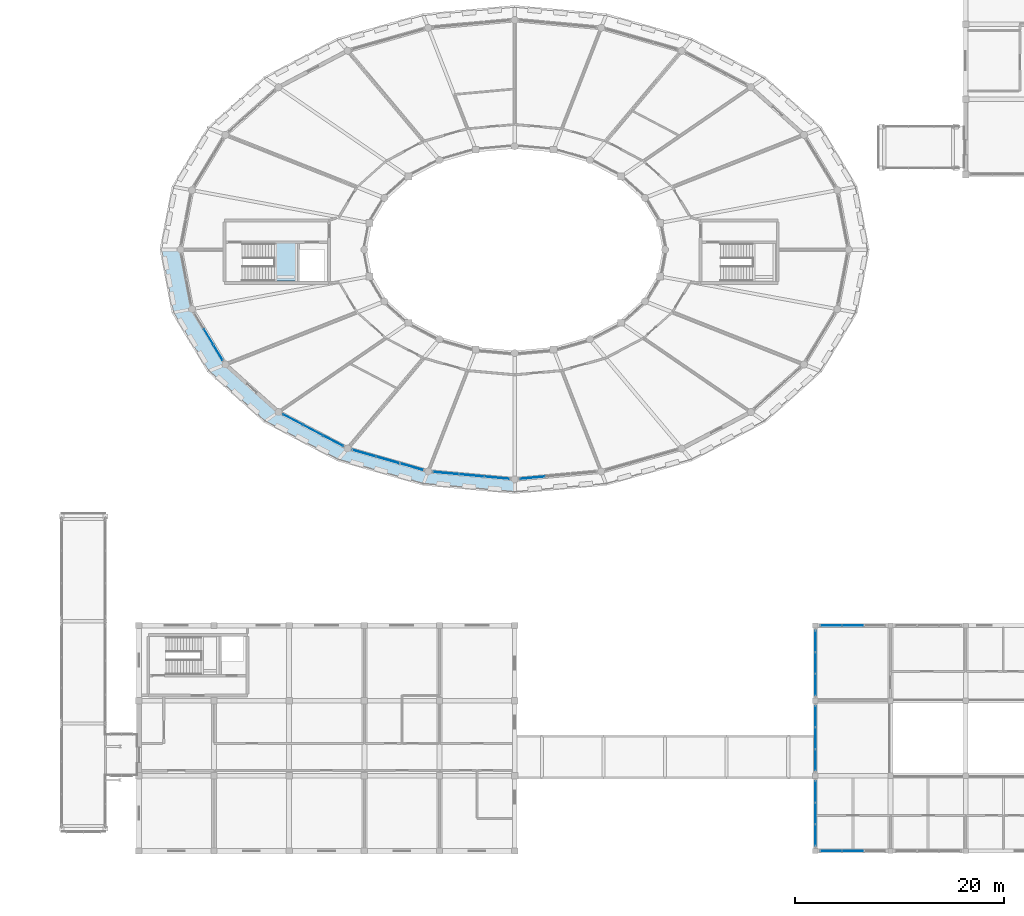
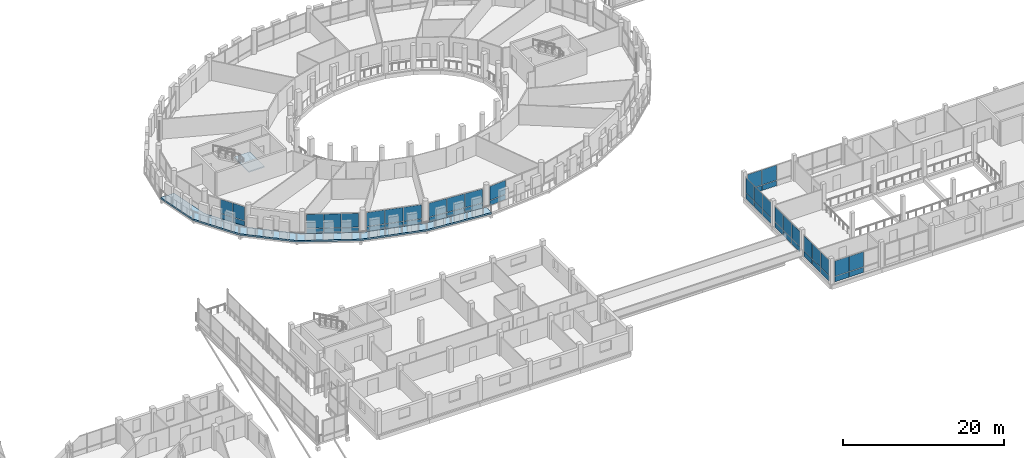
# One storey, part 99 of 128: 50 plates, 2 slabs, 11 elements without a shape of their own.
"""IFC4 building model written with IfcOpenShell, lengths in metres."""

import ifcopenshell
import ifcopenshell.guid

model = None  # the IFC model being written
_history = None  # IfcOwnerHistory: only IFC2X3 demands one
_inside = {}  # id of a spatial element -> (the spatial element, [elements in it])
_under = {}  # id of a project, library or spatial element -> (it, [spatial elements below it])
_declared = {}  # id of a project -> (the project, [libraries it declares])
_typed = {}  # id of a type object -> (the type object, [elements of that type])
_made_of = {}  # id of a material, layer set ... -> (it, [elements and type objects made of it])


def new_model(schema):
    """Start an empty IFC model of exactly this schema.

    Asked for "IFC4X3", IfcOpenShell would pick the latest addendum, in which some entities
    have other attributes; the version numbers below select the first issue.
    IFC2X3 requires an IfcOwnerHistory on every rooted entity: one is made here for all.
    """
    global model, _history
    if schema == "IFC4X3":
        model = ifcopenshell.file(schema_version=(4, 3, 0, 0))
    else:
        model = ifcopenshell.file(schema=schema)
    _inside.clear()
    _under.clear()
    _declared.clear()
    _typed.clear()
    _made_of.clear()
    _history = None
    if model.schema == "IFC2X3":
        org = make("IfcOrganization", Name="unknown")
        user = make(
            "IfcPersonAndOrganization",
            ThePerson=make("IfcPerson", FamilyName="unknown"),
            TheOrganization=org,
        )
        app = make(
            "IfcApplication",
            ApplicationDeveloper=org,
            Version="unknown",
            ApplicationFullName="unknown",
            ApplicationIdentifier="unknown",
        )
        _history = make(
            "IfcOwnerHistory",
            OwningUser=user,
            OwningApplication=app,
            ChangeAction="ADDED",
            CreationDate=0,
        )
    return model


def make(cls, **values):
    """One entity of the class cls with the attributes given. An attribute that is None is left unset."""
    return model.create_entity(
        cls, **{name: value for name, value in values.items() if value is not None}
    )


def rooted(cls, **values):
    """An entity with a GlobalId (a new one), such as an element, a storey or a relation."""
    return make(cls, GlobalId=ifcopenshell.guid.new(), OwnerHistory=_history, **values)


def si_unit(unit_type, name, prefix=None):
    """IfcSIUnit, for example si_unit("LENGTHUNIT", "METRE", prefix="MILLI")."""
    return make("IfcSIUnit", UnitType=unit_type, Prefix=prefix, Name=name)


def assignment(units):
    """IfcUnitAssignment: the units of a project."""
    return None if units is None else make("IfcUnitAssignment", Units=units)


def point(xyz):
    """IfcCartesianPoint."""
    return None if xyz is None else make("IfcCartesianPoint", Coordinates=xyz)


def direction(xyz):
    """IfcDirection."""
    return None if xyz is None else make("IfcDirection", DirectionRatios=xyz)


def frame(location, z_axis=None, x_axis=None):
    """IfcAxis2Placement3D, a coordinate frame: its origin and axes. An axis left out is left unset."""
    return make(
        "IfcAxis2Placement3D",
        Location=point(location),
        Axis=direction(z_axis),
        RefDirection=direction(x_axis),
    )


def frame_2d(location, x_axis=None):
    """IfcAxis2Placement2D, a coordinate frame in the plane: its origin and x axis."""
    return make(
        "IfcAxis2Placement2D", Location=point(location), RefDirection=direction(x_axis)
    )


def origin():
    """The frame at (0, 0, 0) with its axes left unset."""
    return frame((0.0, 0.0, 0.0))


def origin_2d():
    """The frame at (0, 0) in the plane with its x axis left unset."""
    return frame_2d((0.0, 0.0))


def place(relative_to, where):
    """IfcLocalPlacement: puts the frame where relative to a parent placement (None: the world)."""
    return make(
        "IfcLocalPlacement", PlacementRelTo=relative_to, RelativePlacement=where
    )


def context(
    kind, dimensions, precision=None, world=None, true_north=None, identifier=None
):
    """IfcGeometricRepresentationContext, for example the 3D "Model" context."""
    return make(
        "IfcGeometricRepresentationContext",
        ContextIdentifier=identifier,
        ContextType=kind,
        CoordinateSpaceDimension=dimensions,
        Precision=precision,
        WorldCoordinateSystem=world,
        TrueNorth=true_north,
    )


def subcontext(parent, identifier, kind, view, scale=None):
    """IfcGeometricRepresentationSubContext, for example "Body" below "Model"."""
    return make(
        "IfcGeometricRepresentationSubContext",
        ContextIdentifier=identifier,
        ContextType=kind,
        ParentContext=parent,
        TargetScale=scale,
        TargetView=view,
    )


def project(units=None, contexts=None):
    """IfcProject with its units and contexts."""
    return rooted(
        "IfcProject",
        Name="project",
        RepresentationContexts=contexts,
        UnitsInContext=assignment(units),
    )


def spatial(cls, under=None, at=None, **own):
    """A site, building, storey or space (cls), placed at a placement, below another one or the project."""
    s = rooted(cls, ObjectPlacement=at, **own)
    if under is not None:
        _under.setdefault(under.id(), (under, []))[1].append(s)
    return s


def polyline(points):
    """IfcPolyline through the points."""
    return make("IfcPolyline", Points=[point(p) for p in points])


def profile(cls, at=None, kind="AREA", **sizes):
    """A parametric profile (cls). Its sizes go by their IFC names, for example OverallWidth=200.0."""
    return make(cls, ProfileType=kind, Position=at, **sizes)


def rectangle(**sizes):
    """IfcRectangleProfileDef."""
    return profile("IfcRectangleProfileDef", **sizes)


def outline(outer, holes=None, kind="AREA"):
    """IfcArbitraryClosedProfileDef: a profile drawn as a closed curve; with holes, ...WithVoids."""
    if holes is None:
        return make("IfcArbitraryClosedProfileDef", ProfileType=kind, OuterCurve=outer)
    return make(
        "IfcArbitraryProfileDefWithVoids",
        ProfileType=kind,
        OuterCurve=outer,
        InnerCurves=holes,
    )


def extrude(swept, where, along, depth):
    """IfcExtrudedAreaSolid: the profile swept, set in the frame where, extruded along a direction by depth."""
    return make(
        "IfcExtrudedAreaSolid",
        SweptArea=swept,
        Position=where,
        ExtrudedDirection=direction(along),
        Depth=depth,
    )


def shape(context_of_items, identifier, shape_type, items):
    """IfcShapeRepresentation: the items that make up one representation, for example the "Body"."""
    return make(
        "IfcShapeRepresentation",
        ContextOfItems=context_of_items,
        RepresentationIdentifier=identifier,
        RepresentationType=shape_type,
        Items=items,
    )


def material(Name=None, Category=None):
    """IfcMaterial."""
    return make("IfcMaterial", Name=Name, Category=Category)


def layer(
    of_material, thickness, ventilated=None, Name=None, Category=None, Priority=None
):
    """IfcMaterialLayer: one layer of a wall or slab, of a material (None: an air gap)."""
    return make(
        "IfcMaterialLayer",
        Material=of_material,
        LayerThickness=thickness,
        IsVentilated=ventilated,
        Name=Name,
        Category=Category,
        Priority=Priority,
    )


def layer_set(layers, Name=None):
    """IfcMaterialLayerSet."""
    return make("IfcMaterialLayerSet", MaterialLayers=layers, LayerSetName=Name)


def made_of(thing, what):
    """Note that an element or type object is made of a material, layer set ...; save() writes the relation."""
    if what is not None:
        _made_of.setdefault(what.id(), (what, []))[1].append(thing)
    return thing


def type_object(cls, material=None, **own):
    """A type object (cls), such as IfcWallType, which elements share."""
    return made_of(rooted(cls, **own), material)


def element(
    cls,
    number,
    at=None,
    inside=None,
    cuts=None,
    type_object=None,
    material=None,
    context=None,
    identifier="Body",
    shape_type=None,
    held_by="IfcProductDefinitionShape",
    body=None,
    shapes=None,
    **own,
):
    """One element of the class cls, such as IfcWall. Its Tag is "e" and its number.

    at: its placement. inside: the storey or other place that contains it. cuts: it is an
    opening in that element (IfcRelVoidsElement). A single representation is given by context,
    identifier, shape_type and body (its items); several are given by shapes. held_by: the class
    of the entity that holds the representations. save() writes the other relations.
    """
    e = rooted(cls, Tag="e%d" % number, ObjectPlacement=at, **own)
    if body is not None:
        shapes = [shape(context, identifier, shape_type, body)]
    if shapes is not None:
        e.Representation = make(held_by, Representations=shapes)
    if inside is not None:
        _inside.setdefault(inside.id(), (inside, []))[1].append(e)
    if cuts is not None:
        rooted(
            "IfcRelVoidsElement", RelatingBuildingElement=cuts, RelatedOpeningElement=e
        )
    if type_object is not None:
        _typed.setdefault(type_object.id(), (type_object, []))[1].append(e)
    return made_of(e, material)


def aggregate(whole, parts):
    """IfcRelAggregates: a whole, such as a stair, and the parts it consists of."""
    return rooted("IfcRelAggregates", RelatingObject=whole, RelatedObjects=parts)


def save(model, path):
    """Write the relations noted so far, then the file.

    IfcRelAggregates (storeys below a building ...), IfcRelContainedInSpatialStructure (elements
    in a storey), IfcRelDefinesByType, IfcRelAssociatesMaterial and IfcRelDeclares: one each for
    every whole, place, type object, material and project.
    """
    for whole, parts in _under.values():
        aggregate(whole, parts)
    for where, things in _inside.values():
        rooted(
            "IfcRelContainedInSpatialStructure",
            RelatedElements=things,
            RelatingStructure=where,
        )
    for kind, things in _typed.values():
        rooted("IfcRelDefinesByType", RelatedObjects=things, RelatingType=kind)
    for what, things in _made_of.values():
        rooted("IfcRelAssociatesMaterial", RelatedObjects=things, RelatingMaterial=what)
    for by, libraries in _declared.values():
        rooted("IfcRelDeclares", RelatingContext=by, RelatedDefinitions=libraries)
    model.write(path)


model = new_model("IFC4")

# Units and contexts
model_context = context("Model", 3, precision=1e-05, world=origin(), true_north=direction((0.0, 1.0)))
body_context = subcontext(model_context, "Body", "Model", "MODEL_VIEW")
ifc_project = project(units=[si_unit("LENGTHUNIT", "METRE"), si_unit("AREAUNIT", "SQUARE_METRE"), si_unit("VOLUMEUNIT", "CUBIC_METRE"), si_unit("PLANEANGLEUNIT", "RADIAN"), si_unit("MASSUNIT", "GRAM", prefix="KILO")], contexts=[model_context])

# Site, building, storey
site_placement = place(None, origin())
site = spatial("IfcSite", under=ifc_project, at=site_placement, CompositionType="ELEMENT")
building_placement = place(site_placement, origin())
building = spatial("IfcBuilding", under=site, at=building_placement, Name="Zornivar Specialist Clinic", CompositionType="ELEMENT")
storey_placement = place(building_placement, frame((0.0, 0.0, 4.5)))
storey = spatial("IfcBuildingStorey", under=building, at=storey_placement, Name="L01", CompositionType="ELEMENT", Elevation=4.5)

# Curtain wall, plates
ifc_material_1 = material(Name="Aluminium and Low-E Glass Curtain Wall", Category="aluminium")
curtain_wall_type_1 = type_object("IfcCurtainWallType", Name="CW-DRUM-FACET", PredefinedType="NOTDEFINED", material=ifc_material_1)
curtain_wall_1_placement = place(storey_placement, origin())
curtain_wall_1 = element("IfcCurtainWall", 1, at=curtain_wall_1_placement, inside=storey, type_object=curtain_wall_type_1, Name="cw:V1:L01:c17", PredefinedType="NOTDEFINED")
ifc_material_2 = material(Name="Insulated Bronze Spandrel Panel")
ifc_layer_1 = layer(ifc_material_2, 0.048095703125)
ifc_layer_set_1 = layer_set([ifc_layer_1], Name="Insulated Bronze Spandrel Panel")
plate_type_1 = type_object("IfcPlateType", Name="CWP-SPN-A", PredefinedType="CURTAIN_PANEL", material=ifc_layer_set_1)
plate_1_placement = place(storey_placement, frame((87.01708984375, 36.196044921875, 0.03076171875), z_axis=(0.0, 0.0, 1.0), x_axis=(0.995932792393, -0.09009923993, 0.0)))
plate_1 = element("IfcPlate", 2, at=plate_1_placement, type_object=plate_type_1, Name="cw:V1:L01:c17:spn:0", PredefinedType="CURTAIN_PANEL", context=body_context, shape_type="SweptSolid", body=[
    extrude(rectangle(XDim=2.382080078125, YDim=0.048095703125, at=origin_2d()), origin(), (0.0, 0.0, 1.0), 0.722900390625),
])
plate_2_placement = place(storey_placement, frame((89.458984375, 35.97509765625, 0.03076171875), z_axis=(0.0, 0.0, 1.0), x_axis=(0.995932792393, -0.09009923993, 0.0)))
plate_2 = element("IfcPlate", 3, at=plate_2_placement, type_object=plate_type_1, Name="cw:V1:L01:c17:spn:1", PredefinedType="CURTAIN_PANEL", context=body_context, shape_type="SweptSolid", body=[
    extrude(rectangle(XDim=2.382080078125, YDim=0.048095703125, at=origin_2d()), origin(), (0.0, 0.0, 1.0), 0.722900390625),
])
plate_3_placement = place(storey_placement, frame((91.90087890625, 35.75390625, 0.03076171875), z_axis=(0.0, 0.0, 1.0), x_axis=(0.995932792393, -0.09009923993, 0.0)))
plate_3 = element("IfcPlate", 4, at=plate_3_placement, type_object=plate_type_1, Name="cw:V1:L01:c17:spn:2", PredefinedType="CURTAIN_PANEL", context=body_context, shape_type="SweptSolid", body=[
    extrude(rectangle(XDim=2.382080078125, YDim=0.048095703125, at=origin_2d()), origin(), (0.0, 0.0, 1.0), 0.722900390625),
])

# Curtain wall, plate
curtain_wall_2_placement = place(storey_placement, origin())
curtain_wall_2 = element("IfcCurtainWall", 5, at=curtain_wall_2_placement, inside=storey, type_object=curtain_wall_type_1, Name="cw:V1:L01:c18", PredefinedType="NOTDEFINED")
ifc_material_3 = material(Name="Insulated Bronze Spandrel Panel")
ifc_layer_2 = layer(ifc_material_3, 0.048095703125)
ifc_layer_set_2 = layer_set([ifc_layer_2], Name="Insulated Bronze Spandrel Panel")
plate_type_2 = type_object("IfcPlateType", Name="CWP-SPN-B", PredefinedType="CURTAIN_PANEL", material=ifc_layer_set_2)
plate_4_placement = place(storey_placement, frame((95.299072265625, 35.75390625, 0.03076171875), z_axis=(0.0, 0.0, 1.0), x_axis=(0.995932792393, 0.09009923993, 0.0)))
plate_4 = element("IfcPlate", 6, at=plate_4_placement, type_object=plate_type_2, Name="cw:V1:L01:c18:spn:0", PredefinedType="CURTAIN_PANEL", context=body_context, shape_type="SweptSolid", body=[
    extrude(rectangle(XDim=2.382080078125, YDim=0.048095703125, at=origin_2d()), origin(), (0.0, 0.0, 1.0), 0.722900390625),
])

# Curtain wall, plates
curtain_wall_3_placement = place(storey_placement, origin())
curtain_wall_3 = element("IfcCurtainWall", 7, at=curtain_wall_3_placement, inside=storey, type_object=curtain_wall_type_1, Name="cw:V1:L01:c13", PredefinedType="NOTDEFINED")
ifc_material_4 = material(Name="Insulated Bronze Spandrel Panel")
ifc_layer_3 = layer(ifc_material_4, 0.048095703125)
ifc_layer_set_3 = layer_set([ifc_layer_3], Name="Insulated Bronze Spandrel Panel")
plate_type_3 = type_object("IfcPlateType", Name="CWP-SPN-C", PredefinedType="CURTAIN_PANEL", material=ifc_layer_set_3)
plate_5_placement = place(storey_placement, frame((64.2880859375, 49.2529296875, 0.03076171875), z_axis=(0.0, 0.0, 1.0), x_axis=(0.516127401954, -0.856511824175, 0.0)))
plate_5 = element("IfcPlate", 8, at=plate_5_placement, type_object=plate_type_3, Name="cw:V1:L01:c13:spn:1", PredefinedType="CURTAIN_PANEL", context=body_context, shape_type="SweptSolid", body=[
    extrude(rectangle(XDim=1.675048828125, YDim=0.048095703125, at=origin_2d()), origin(), (0.0, 0.0, 1.0), 0.722900390625),
])
plate_6_placement = place(storey_placement, frame((65.18896484375, 47.758056640625, 0.03076171875), z_axis=(0.0, 0.0, 1.0), x_axis=(0.516127401954, -0.856511824175, 0.0)))
plate_6 = element("IfcPlate", 9, at=plate_6_placement, type_object=plate_type_3, Name="cw:V1:L01:c13:spn:2", PredefinedType="CURTAIN_PANEL", context=body_context, shape_type="SweptSolid", body=[
    extrude(rectangle(XDim=1.675048828125, YDim=0.048095703125, at=origin_2d()), origin(), (0.0, 0.0, 1.0), 0.722900390625),
])

curtain_wall_4_placement = place(storey_placement, origin())
curtain_wall_4 = element("IfcCurtainWall", 10, at=curtain_wall_4_placement, inside=storey, type_object=curtain_wall_type_1, Name="cw:V1:L01:c15", PredefinedType="NOTDEFINED")
ifc_material_5 = material(Name="Insulated Bronze Spandrel Panel")
ifc_layer_4 = layer(ifc_material_5, 0.0458984375)
ifc_layer_set_4 = layer_set([ifc_layer_4], Name="Insulated Bronze Spandrel Panel")
plate_type_4 = type_object("IfcPlateType", Name="CWP-SPN-E", PredefinedType="CURTAIN_PANEL", material=ifc_layer_set_4)
plate_7_placement = place(storey_placement, frame((72.361083984375, 41.31201171875, 0.03076171875), z_axis=(0.0, 0.0, 1.0), x_axis=(0.884383019078, -0.46676190458, 0.0)))
plate_7 = element("IfcPlate", 11, at=plate_7_placement, type_object=plate_type_4, Name="cw:V1:L01:c15:spn:0", PredefinedType="CURTAIN_PANEL", context=body_context, shape_type="SweptSolid", body=[
    extrude(rectangle(XDim=2.10791015625, YDim=0.0458984375, at=origin_2d()), origin(), (0.0, 0.0, 1.0), 0.722900390625),
])
plate_8_placement = place(storey_placement, frame((74.287109375, 40.2958984375, 0.03076171875), z_axis=(0.0, 0.0, 1.0), x_axis=(0.884383019078, -0.46676190458, 0.0)))
plate_8 = element("IfcPlate", 12, at=plate_8_placement, type_object=plate_type_4, Name="cw:V1:L01:c15:spn:1", PredefinedType="CURTAIN_PANEL", context=body_context, shape_type="SweptSolid", body=[
    extrude(rectangle(XDim=2.10791015625, YDim=0.0458984375, at=origin_2d()), origin(), (0.0, 0.0, 1.0), 0.722900390625),
])
plate_9_placement = place(storey_placement, frame((76.212890625, 39.279052734375, 0.03076171875), z_axis=(0.0, 0.0, 1.0), x_axis=(0.884383019078, -0.46676190458, 0.0)))
plate_9 = element("IfcPlate", 13, at=plate_9_placement, type_object=plate_type_4, Name="cw:V1:L01:c15:spn:2", PredefinedType="CURTAIN_PANEL", context=body_context, shape_type="SweptSolid", body=[
    extrude(rectangle(XDim=2.10791015625, YDim=0.0458984375, at=origin_2d()), origin(), (0.0, 0.0, 1.0), 0.722900390625),
])

curtain_wall_5_placement = place(storey_placement, origin())
curtain_wall_5 = element("IfcCurtainWall", 14, at=curtain_wall_5_placement, inside=storey, type_object=curtain_wall_type_1, Name="cw:V1:L01:c16", PredefinedType="NOTDEFINED")
ifc_material_6 = material(Name="Insulated Terracotta Spandrel Panel", Category="masonry")
ifc_layer_5 = layer(ifc_material_6, 0.05810546875)
ifc_layer_set_5 = layer_set([ifc_layer_5], Name="Insulated Terracotta Spandrel Panel")
plate_type_5 = type_object("IfcPlateType", Name="CWP-SPN-F", PredefinedType="CURTAIN_PANEL", material=ifc_layer_set_5)
plate_10_placement = place(storey_placement, frame((79.194091796875, 38.093994140625, 0.03076171875), z_axis=(0.0, 0.0, 1.0), x_axis=(0.961761244933, -0.273889225319, 0.0)))
plate_10 = element("IfcPlate", 15, at=plate_10_placement, type_object=plate_type_5, Name="cw:V1:L01:c16:spn:0", PredefinedType="CURTAIN_PANEL", context=body_context, shape_type="SweptSolid", body=[
    extrude(rectangle(XDim=2.284912109375, YDim=0.05810546875, at=origin_2d()), origin(), (0.0, 0.0, 1.0), 0.722900390625),
])
plate_11_placement = place(storey_placement, frame((81.458984375, 37.448974609375, 0.03076171875), z_axis=(0.0, 0.0, 1.0), x_axis=(0.961761244933, -0.273889225319, 0.0)))
plate_11 = element("IfcPlate", 16, at=plate_11_placement, type_object=plate_type_5, Name="cw:V1:L01:c16:spn:1", PredefinedType="CURTAIN_PANEL", context=body_context, shape_type="SweptSolid", body=[
    extrude(rectangle(XDim=2.284912109375, YDim=0.05810546875, at=origin_2d()), origin(), (0.0, 0.0, 1.0), 0.722900390625),
])
plate_12_placement = place(storey_placement, frame((83.72412109375, 36.803955078125, 0.03076171875), z_axis=(0.0, 0.0, 1.0), x_axis=(0.961761244933, -0.273889225319, 0.0)))
plate_12 = element("IfcPlate", 17, at=plate_12_placement, type_object=plate_type_5, Name="cw:V1:L01:c16:spn:2", PredefinedType="CURTAIN_PANEL", context=body_context, shape_type="SweptSolid", body=[
    extrude(rectangle(XDim=2.284912109375, YDim=0.05810546875, at=origin_2d()), origin(), (0.0, 0.0, 1.0), 0.722900390625),
])

ifc_material_7 = material(Name="Aluminium and Low-E Glass Curtain Wall", Category="aluminium")
curtain_wall_type_2 = type_object("IfcCurtainWallType", Name="CW-WINTERGARDEN", PredefinedType="NOTDEFINED", material=ifc_material_7)
curtain_wall_6_placement = place(storey_placement, origin())
curtain_wall_6 = element("IfcCurtainWall", 18, at=curtain_wall_6_placement, inside=storey, type_object=curtain_wall_type_2, Name="cw:V4:L01:00", PredefinedType="NOTDEFINED")
plate_13_placement = place(storey_placement, frame((123.919921875, 0.0, 0.030029296875), z_axis=(0.0, 0.0, 1.0), x_axis=(1.0, 0.0, 0.0)))
plate_13 = element("IfcPlate", 19, at=plate_13_placement, type_object=plate_type_5, Name="cw:V4:L01:00:spn:0", PredefinedType="CURTAIN_PANEL", context=body_context, shape_type="SweptSolid", body=[
    extrude(rectangle(XDim=2.010009765625, YDim=0.05810546875, at=origin_2d()), origin(), (0.0, 0.0, 1.0), 0.7880859375),
])
plate_14_placement = place(storey_placement, frame((126.0, 0.0, 0.030029296875), z_axis=(0.0, 0.0, 1.0), x_axis=(1.0, 0.0, 0.0)))
plate_14 = element("IfcPlate", 20, at=plate_14_placement, type_object=plate_type_5, Name="cw:V4:L01:00:spn:1", PredefinedType="CURTAIN_PANEL", context=body_context, shape_type="SweptSolid", body=[
    extrude(rectangle(XDim=2.010009765625, YDim=0.05810546875, at=origin_2d()), origin(), (0.0, 0.0, 1.0), 0.7880859375),
])

curtain_wall_7_placement = place(storey_placement, origin())
curtain_wall_7 = element("IfcCurtainWall", 21, at=curtain_wall_7_placement, inside=storey, type_object=curtain_wall_type_2, Name="cw:V4:L01:14", PredefinedType="NOTDEFINED")
plate_15_placement = place(storey_placement, frame((126.0, 21.60009765625, 0.030029296875), z_axis=(0.0, 0.0, 1.0), x_axis=(-1.0, 0.0, 0.0)))
plate_15 = element("IfcPlate", 22, at=plate_15_placement, type_object=plate_type_5, Name="cw:V4:L01:14:spn:1", PredefinedType="CURTAIN_PANEL", context=body_context, shape_type="SweptSolid", body=[
    extrude(rectangle(XDim=2.010009765625, YDim=0.05810546875, at=origin_2d()), origin(), (0.0, 0.0, 1.0), 0.7880859375),
])
plate_16_placement = place(storey_placement, frame((123.919921875, 21.60009765625, 0.030029296875), z_axis=(0.0, 0.0, 1.0), x_axis=(-1.0, 0.0, 0.0)))
plate_16 = element("IfcPlate", 23, at=plate_16_placement, type_object=plate_type_5, Name="cw:V4:L01:14:spn:2", PredefinedType="CURTAIN_PANEL", context=body_context, shape_type="SweptSolid", body=[
    extrude(rectangle(XDim=2.010009765625, YDim=0.05810546875, at=origin_2d()), origin(), (0.0, 0.0, 1.0), 0.7880859375),
])

curtain_wall_8_placement = place(storey_placement, origin())
curtain_wall_8 = element("IfcCurtainWall", 24, at=curtain_wall_8_placement, inside=storey, type_object=curtain_wall_type_2, Name="cw:V4:L01:15", PredefinedType="NOTDEFINED")
plate_17_placement = place(storey_placement, frame((122.39990234375, 20.080078125, 0.030029296875), z_axis=(0.0, 0.0, 1.0), x_axis=(0.0, -1.0, 0.0)))
plate_17 = element("IfcPlate", 25, at=plate_17_placement, type_object=plate_type_5, Name="cw:V4:L01:15:spn:0", PredefinedType="CURTAIN_PANEL", context=body_context, shape_type="SweptSolid", body=[
    extrude(rectangle(XDim=2.010009765625, YDim=0.05810546875, at=origin_2d()), origin(), (0.0, 0.0, 1.0), 0.7880859375),
])
plate_18_placement = place(storey_placement, frame((122.39990234375, 18.0, 0.030029296875), z_axis=(0.0, 0.0, 1.0), x_axis=(0.0, -1.0, 0.0)))
plate_18 = element("IfcPlate", 26, at=plate_18_placement, type_object=plate_type_5, Name="cw:V4:L01:15:spn:1", PredefinedType="CURTAIN_PANEL", context=body_context, shape_type="SweptSolid", body=[
    extrude(rectangle(XDim=2.010009765625, YDim=0.05810546875, at=origin_2d()), origin(), (0.0, 0.0, 1.0), 0.7880859375),
])
plate_19_placement = place(storey_placement, frame((122.39990234375, 15.919921875, 0.030029296875), z_axis=(0.0, 0.0, 1.0), x_axis=(0.0, -1.0, 0.0)))
plate_19 = element("IfcPlate", 27, at=plate_19_placement, type_object=plate_type_5, Name="cw:V4:L01:15:spn:2", PredefinedType="CURTAIN_PANEL", context=body_context, shape_type="SweptSolid", body=[
    extrude(rectangle(XDim=2.010009765625, YDim=0.05810546875, at=origin_2d()), origin(), (0.0, 0.0, 1.0), 0.7880859375),
])

curtain_wall_9_placement = place(storey_placement, origin())
curtain_wall_9 = element("IfcCurtainWall", 28, at=curtain_wall_9_placement, inside=storey, type_object=curtain_wall_type_2, Name="cw:V4:L01:16", PredefinedType="NOTDEFINED")
plate_20_placement = place(storey_placement, frame((122.39990234375, 12.8798828125, 0.030029296875), z_axis=(0.0, 0.0, 1.0), x_axis=(0.0, -1.0, 0.0)))
plate_20 = element("IfcPlate", 29, at=plate_20_placement, type_object=plate_type_5, Name="cw:V4:L01:16:spn:0", PredefinedType="CURTAIN_PANEL", context=body_context, shape_type="SweptSolid", body=[
    extrude(rectangle(XDim=2.010009765625, YDim=0.05810546875, at=origin_2d()), origin(), (0.0, 0.0, 1.0), 0.7880859375),
])
plate_21_placement = place(storey_placement, frame((122.39990234375, 10.800048828125, 0.030029296875), z_axis=(0.0, 0.0, 1.0), x_axis=(0.0, -1.0, 0.0)))
plate_21 = element("IfcPlate", 30, at=plate_21_placement, type_object=plate_type_5, Name="cw:V4:L01:16:spn:1", PredefinedType="CURTAIN_PANEL", context=body_context, shape_type="SweptSolid", body=[
    extrude(rectangle(XDim=2.010009765625, YDim=0.05810546875, at=origin_2d()), origin(), (0.0, 0.0, 1.0), 0.7880859375),
])
plate_22_placement = place(storey_placement, frame((122.39990234375, 8.719970703125, 0.030029296875), z_axis=(0.0, 0.0, 1.0), x_axis=(0.0, -1.0, 0.0)))
plate_22 = element("IfcPlate", 31, at=plate_22_placement, type_object=plate_type_5, Name="cw:V4:L01:16:spn:2", PredefinedType="CURTAIN_PANEL", context=body_context, shape_type="SweptSolid", body=[
    extrude(rectangle(XDim=2.010009765625, YDim=0.05810546875, at=origin_2d()), origin(), (0.0, 0.0, 1.0), 0.7880859375),
])

curtain_wall_10_placement = place(storey_placement, origin())
curtain_wall_10 = element("IfcCurtainWall", 32, at=curtain_wall_10_placement, inside=storey, type_object=curtain_wall_type_2, Name="cw:V4:L01:17", PredefinedType="NOTDEFINED")
plate_23_placement = place(storey_placement, frame((122.39990234375, 5.679931640625, 0.030029296875), z_axis=(0.0, 0.0, 1.0), x_axis=(0.0, -1.0, 0.0)))
plate_23 = element("IfcPlate", 33, at=plate_23_placement, type_object=plate_type_5, Name="cw:V4:L01:17:spn:0", PredefinedType="CURTAIN_PANEL", context=body_context, shape_type="SweptSolid", body=[
    extrude(rectangle(XDim=2.010009765625, YDim=0.05810546875, at=origin_2d()), origin(), (0.0, 0.0, 1.0), 0.7880859375),
])
plate_24_placement = place(storey_placement, frame((122.39990234375, 3.60009765625, 0.030029296875), z_axis=(0.0, 0.0, 1.0), x_axis=(0.0, -1.0, 0.0)))
plate_24 = element("IfcPlate", 34, at=plate_24_placement, type_object=plate_type_5, Name="cw:V4:L01:17:spn:1", PredefinedType="CURTAIN_PANEL", context=body_context, shape_type="SweptSolid", body=[
    extrude(rectangle(XDim=2.010009765625, YDim=0.05810546875, at=origin_2d()), origin(), (0.0, 0.0, 1.0), 0.7880859375),
])
plate_25_placement = place(storey_placement, frame((122.39990234375, 1.52001953125, 0.030029296875), z_axis=(0.0, 0.0, 1.0), x_axis=(0.0, -1.0, 0.0)))
plate_25 = element("IfcPlate", 35, at=plate_25_placement, type_object=plate_type_5, Name="cw:V4:L01:17:spn:2", PredefinedType="CURTAIN_PANEL", context=body_context, shape_type="SweptSolid", body=[
    extrude(rectangle(XDim=2.010009765625, YDim=0.05810546875, at=origin_2d()), origin(), (0.0, 0.0, 1.0), 0.7880859375),
])

# Plate
ifc_material_8 = material(Name="Triple Low-E Vision Glass", Category="glass")
ifc_layer_6 = layer(ifc_material_8, 0.035888671875)
ifc_layer_set_6 = layer_set([ifc_layer_6], Name="Triple Low-E Vision Glass")
plate_type_6 = type_object("IfcPlateType", Name="CWP-VIS-E", PredefinedType="CURTAIN_PANEL", material=ifc_layer_set_6)
plate_26_placement = place(storey_placement, frame((64.2880859375, 49.2529296875, 0.81787109375), z_axis=(0.0, 0.0, 1.0), x_axis=(0.516127401954, -0.856511824175, 0.0)))
plate_26 = element("IfcPlate", 36, at=plate_26_placement, type_object=plate_type_6, Name="cw:V1:L01:c13:vis:1", PredefinedType="CURTAIN_PANEL", context=body_context, shape_type="SweptSolid", body=[
    extrude(rectangle(XDim=1.675048828125, YDim=0.035888671875, at=origin_2d()), origin(), (0.0, 0.0, 1.0), 2.092041015625),
])

plate_27_placement = place(storey_placement, frame((65.18896484375, 47.758056640625, 0.81787109375), z_axis=(0.0, 0.0, 1.0), x_axis=(0.516127401954, -0.856511824175, 0.0)))
plate_27 = element("IfcPlate", 37, at=plate_27_placement, type_object=plate_type_6, Name="cw:V1:L01:c13:vis:2", PredefinedType="CURTAIN_PANEL", context=body_context, shape_type="SweptSolid", body=[
    extrude(rectangle(XDim=1.675048828125, YDim=0.035888671875, at=origin_2d()), origin(), (0.0, 0.0, 1.0), 2.092041015625),
])

aggregate(curtain_wall_3, [plate_5, plate_26, plate_6, plate_27])

ifc_material_9 = material(Name="Triple Low-E Vision Glass", Category="glass")
ifc_layer_7 = layer(ifc_material_9, 0.035888671875)
ifc_layer_set_7 = layer_set([ifc_layer_7], Name="Triple Low-E Vision Glass")
plate_type_7 = type_object("IfcPlateType", Name="CWP-VIS-G", PredefinedType="CURTAIN_PANEL", material=ifc_layer_set_7)
plate_28_placement = place(storey_placement, frame((72.361083984375, 41.31201171875, 0.81787109375), z_axis=(0.0, 0.0, 1.0), x_axis=(0.884383019078, -0.46676190458, 0.0)))
plate_28 = element("IfcPlate", 38, at=plate_28_placement, type_object=plate_type_7, Name="cw:V1:L01:c15:vis:0", PredefinedType="CURTAIN_PANEL", context=body_context, shape_type="SweptSolid", body=[
    extrude(rectangle(XDim=2.10791015625, YDim=0.035888671875, at=origin_2d()), origin(), (0.0, 0.0, 1.0), 2.092041015625),
])

plate_29_placement = place(storey_placement, frame((74.287109375, 40.2958984375, 0.81787109375), z_axis=(0.0, 0.0, 1.0), x_axis=(0.884383019078, -0.46676190458, 0.0)))
plate_29 = element("IfcPlate", 39, at=plate_29_placement, type_object=plate_type_7, Name="cw:V1:L01:c15:vis:1", PredefinedType="CURTAIN_PANEL", context=body_context, shape_type="SweptSolid", body=[
    extrude(rectangle(XDim=2.10791015625, YDim=0.035888671875, at=origin_2d()), origin(), (0.0, 0.0, 1.0), 2.092041015625),
])

plate_30_placement = place(storey_placement, frame((76.212890625, 39.279052734375, 0.81787109375), z_axis=(0.0, 0.0, 1.0), x_axis=(0.884383019078, -0.46676190458, 0.0)))
plate_30 = element("IfcPlate", 40, at=plate_30_placement, type_object=plate_type_7, Name="cw:V1:L01:c15:vis:2", PredefinedType="CURTAIN_PANEL", context=body_context, shape_type="SweptSolid", body=[
    extrude(rectangle(XDim=2.10791015625, YDim=0.035888671875, at=origin_2d()), origin(), (0.0, 0.0, 1.0), 2.092041015625),
])

aggregate(curtain_wall_4, [plate_7, plate_28, plate_8, plate_29, plate_9, plate_30])

ifc_material_10 = material(Name="Triple Low-E Vision Glass", Category="glass")
ifc_layer_8 = layer(ifc_material_10, 0.033935546875)
ifc_layer_set_8 = layer_set([ifc_layer_8], Name="Triple Low-E Vision Glass")
plate_type_8 = type_object("IfcPlateType", Name="CWP-VIS-H", PredefinedType="CURTAIN_PANEL", material=ifc_layer_set_8)
plate_31_placement = place(storey_placement, frame((79.194091796875, 38.093994140625, 0.81787109375), z_axis=(0.0, 0.0, 1.0), x_axis=(0.961761244933, -0.273889225319, 0.0)))
plate_31 = element("IfcPlate", 41, at=plate_31_placement, type_object=plate_type_8, Name="cw:V1:L01:c16:vis:0", PredefinedType="CURTAIN_PANEL", context=body_context, shape_type="SweptSolid", body=[
    extrude(rectangle(XDim=2.284912109375, YDim=0.033935546875, at=origin_2d()), origin(), (0.0, 0.0, 1.0), 2.092041015625),
])

plate_32_placement = place(storey_placement, frame((81.458984375, 37.448974609375, 0.81787109375), z_axis=(0.0, 0.0, 1.0), x_axis=(0.961761244933, -0.273889225319, 0.0)))
plate_32 = element("IfcPlate", 42, at=plate_32_placement, type_object=plate_type_8, Name="cw:V1:L01:c16:vis:1", PredefinedType="CURTAIN_PANEL", context=body_context, shape_type="SweptSolid", body=[
    extrude(rectangle(XDim=2.284912109375, YDim=0.033935546875, at=origin_2d()), origin(), (0.0, 0.0, 1.0), 2.092041015625),
])

plate_33_placement = place(storey_placement, frame((83.72412109375, 36.803955078125, 0.81787109375), z_axis=(0.0, 0.0, 1.0), x_axis=(0.961761244933, -0.273889225319, 0.0)))
plate_33 = element("IfcPlate", 43, at=plate_33_placement, type_object=plate_type_8, Name="cw:V1:L01:c16:vis:2", PredefinedType="CURTAIN_PANEL", context=body_context, shape_type="SweptSolid", body=[
    extrude(rectangle(XDim=2.284912109375, YDim=0.033935546875, at=origin_2d()), origin(), (0.0, 0.0, 1.0), 2.092041015625),
])

aggregate(curtain_wall_5, [plate_10, plate_31, plate_11, plate_32, plate_12, plate_33])

ifc_material_11 = material(Name="Triple Low-E Vision Glass", Category="glass")
ifc_layer_9 = layer(ifc_material_11, 0.033935546875)
ifc_layer_set_9 = layer_set([ifc_layer_9], Name="Triple Low-E Vision Glass")
plate_type_9 = type_object("IfcPlateType", Name="CWP-VIS-J", PredefinedType="CURTAIN_PANEL", material=ifc_layer_set_9)
plate_34_placement = place(storey_placement, frame((87.01708984375, 36.196044921875, 0.81787109375), z_axis=(0.0, 0.0, 1.0), x_axis=(0.995932792393, -0.09009923993, 0.0)))
plate_34 = element("IfcPlate", 44, at=plate_34_placement, type_object=plate_type_9, Name="cw:V1:L01:c17:vis:0", PredefinedType="CURTAIN_PANEL", context=body_context, shape_type="SweptSolid", body=[
    extrude(rectangle(XDim=2.382080078125, YDim=0.033935546875, at=origin_2d()), origin(), (0.0, 0.0, 1.0), 2.092041015625),
])

plate_35_placement = place(storey_placement, frame((89.458984375, 35.97509765625, 0.81787109375), z_axis=(0.0, 0.0, 1.0), x_axis=(0.995932792393, -0.09009923993, 0.0)))
plate_35 = element("IfcPlate", 45, at=plate_35_placement, type_object=plate_type_9, Name="cw:V1:L01:c17:vis:1", PredefinedType="CURTAIN_PANEL", context=body_context, shape_type="SweptSolid", body=[
    extrude(rectangle(XDim=2.382080078125, YDim=0.033935546875, at=origin_2d()), origin(), (0.0, 0.0, 1.0), 2.092041015625),
])

plate_36_placement = place(storey_placement, frame((91.90087890625, 35.75390625, 0.81787109375), z_axis=(0.0, 0.0, 1.0), x_axis=(0.995932792393, -0.09009923993, 0.0)))
plate_36 = element("IfcPlate", 46, at=plate_36_placement, type_object=plate_type_9, Name="cw:V1:L01:c17:vis:2", PredefinedType="CURTAIN_PANEL", context=body_context, shape_type="SweptSolid", body=[
    extrude(rectangle(XDim=2.382080078125, YDim=0.033935546875, at=origin_2d()), origin(), (0.0, 0.0, 1.0), 2.092041015625),
])

aggregate(curtain_wall_1, [plate_1, plate_34, plate_2, plate_35, plate_3, plate_36])

ifc_material_12 = material(Name="Solar-Control Wintergarden Glass", Category="glass")
ifc_layer_10 = layer(ifc_material_12, 0.0419921875)
ifc_layer_set_10 = layer_set([ifc_layer_10], Name="Solar-Control Wintergarden Glass")
plate_type_10 = type_object("IfcPlateType", Name="CWP-VIS-K", PredefinedType="CURTAIN_PANEL", material=ifc_layer_set_10)
plate_37_placement = place(storey_placement, frame((123.919921875, 0.0, 0.88232421875), z_axis=(0.0, 0.0, 1.0), x_axis=(1.0, 0.0, 0.0)))
plate_37 = element("IfcPlate", 47, at=plate_37_placement, type_object=plate_type_10, Name="cw:V4:L01:00:vis:0", PredefinedType="CURTAIN_PANEL", context=body_context, shape_type="SweptSolid", body=[
    extrude(rectangle(XDim=2.010009765625, YDim=0.0419921875, at=origin_2d()), origin(), (0.0, 0.0, 1.0), 2.277099609375),
])

plate_38_placement = place(storey_placement, frame((126.0, 0.0, 0.88232421875), z_axis=(0.0, 0.0, 1.0), x_axis=(1.0, 0.0, 0.0)))
plate_38 = element("IfcPlate", 48, at=plate_38_placement, type_object=plate_type_10, Name="cw:V4:L01:00:vis:1", PredefinedType="CURTAIN_PANEL", context=body_context, shape_type="SweptSolid", body=[
    extrude(rectangle(XDim=2.010009765625, YDim=0.0419921875, at=origin_2d()), origin(), (0.0, 0.0, 1.0), 2.277099609375),
])

aggregate(curtain_wall_6, [plate_13, plate_37, plate_14, plate_38])

plate_39_placement = place(storey_placement, frame((126.0, 21.60009765625, 0.88232421875), z_axis=(0.0, 0.0, 1.0), x_axis=(-1.0, 0.0, 0.0)))
plate_39 = element("IfcPlate", 49, at=plate_39_placement, type_object=plate_type_10, Name="cw:V4:L01:14:vis:1", PredefinedType="CURTAIN_PANEL", context=body_context, shape_type="SweptSolid", body=[
    extrude(rectangle(XDim=2.010009765625, YDim=0.0419921875, at=origin_2d()), origin(), (0.0, 0.0, 1.0), 2.277099609375),
])

plate_40_placement = place(storey_placement, frame((123.919921875, 21.60009765625, 0.88232421875), z_axis=(0.0, 0.0, 1.0), x_axis=(-1.0, 0.0, 0.0)))
plate_40 = element("IfcPlate", 50, at=plate_40_placement, type_object=plate_type_10, Name="cw:V4:L01:14:vis:2", PredefinedType="CURTAIN_PANEL", context=body_context, shape_type="SweptSolid", body=[
    extrude(rectangle(XDim=2.010009765625, YDim=0.0419921875, at=origin_2d()), origin(), (0.0, 0.0, 1.0), 2.277099609375),
])

aggregate(curtain_wall_7, [plate_15, plate_39, plate_16, plate_40])

plate_41_placement = place(storey_placement, frame((122.39990234375, 20.080078125, 0.88232421875), z_axis=(0.0, 0.0, 1.0), x_axis=(0.0, -1.0, 0.0)))
plate_41 = element("IfcPlate", 51, at=plate_41_placement, type_object=plate_type_10, Name="cw:V4:L01:15:vis:0", PredefinedType="CURTAIN_PANEL", context=body_context, shape_type="SweptSolid", body=[
    extrude(rectangle(XDim=2.010009765625, YDim=0.0419921875, at=origin_2d()), origin(), (0.0, 0.0, 1.0), 2.277099609375),
])

plate_42_placement = place(storey_placement, frame((122.39990234375, 18.0, 0.88232421875), z_axis=(0.0, 0.0, 1.0), x_axis=(0.0, -1.0, 0.0)))
plate_42 = element("IfcPlate", 52, at=plate_42_placement, type_object=plate_type_10, Name="cw:V4:L01:15:vis:1", PredefinedType="CURTAIN_PANEL", context=body_context, shape_type="SweptSolid", body=[
    extrude(rectangle(XDim=2.010009765625, YDim=0.0419921875, at=origin_2d()), origin(), (0.0, 0.0, 1.0), 2.277099609375),
])

plate_43_placement = place(storey_placement, frame((122.39990234375, 15.919921875, 0.88232421875), z_axis=(0.0, 0.0, 1.0), x_axis=(0.0, -1.0, 0.0)))
plate_43 = element("IfcPlate", 53, at=plate_43_placement, type_object=plate_type_10, Name="cw:V4:L01:15:vis:2", PredefinedType="CURTAIN_PANEL", context=body_context, shape_type="SweptSolid", body=[
    extrude(rectangle(XDim=2.010009765625, YDim=0.0419921875, at=origin_2d()), origin(), (0.0, 0.0, 1.0), 2.277099609375),
])

aggregate(curtain_wall_8, [plate_17, plate_41, plate_18, plate_42, plate_19, plate_43])

plate_44_placement = place(storey_placement, frame((122.39990234375, 12.8798828125, 0.88232421875), z_axis=(0.0, 0.0, 1.0), x_axis=(0.0, -1.0, 0.0)))
plate_44 = element("IfcPlate", 54, at=plate_44_placement, type_object=plate_type_10, Name="cw:V4:L01:16:vis:0", PredefinedType="CURTAIN_PANEL", context=body_context, shape_type="SweptSolid", body=[
    extrude(rectangle(XDim=2.010009765625, YDim=0.0419921875, at=origin_2d()), origin(), (0.0, 0.0, 1.0), 2.277099609375),
])

plate_45_placement = place(storey_placement, frame((122.39990234375, 10.800048828125, 0.88232421875), z_axis=(0.0, 0.0, 1.0), x_axis=(0.0, -1.0, 0.0)))
plate_45 = element("IfcPlate", 55, at=plate_45_placement, type_object=plate_type_10, Name="cw:V4:L01:16:vis:1", PredefinedType="CURTAIN_PANEL", context=body_context, shape_type="SweptSolid", body=[
    extrude(rectangle(XDim=2.010009765625, YDim=0.0419921875, at=origin_2d()), origin(), (0.0, 0.0, 1.0), 2.277099609375),
])

plate_46_placement = place(storey_placement, frame((122.39990234375, 8.719970703125, 0.88232421875), z_axis=(0.0, 0.0, 1.0), x_axis=(0.0, -1.0, 0.0)))
plate_46 = element("IfcPlate", 56, at=plate_46_placement, type_object=plate_type_10, Name="cw:V4:L01:16:vis:2", PredefinedType="CURTAIN_PANEL", context=body_context, shape_type="SweptSolid", body=[
    extrude(rectangle(XDim=2.010009765625, YDim=0.0419921875, at=origin_2d()), origin(), (0.0, 0.0, 1.0), 2.277099609375),
])

aggregate(curtain_wall_9, [plate_20, plate_44, plate_21, plate_45, plate_22, plate_46])

plate_47_placement = place(storey_placement, frame((122.39990234375, 5.679931640625, 0.88232421875), z_axis=(0.0, 0.0, 1.0), x_axis=(0.0, -1.0, 0.0)))
plate_47 = element("IfcPlate", 57, at=plate_47_placement, type_object=plate_type_10, Name="cw:V4:L01:17:vis:0", PredefinedType="CURTAIN_PANEL", context=body_context, shape_type="SweptSolid", body=[
    extrude(rectangle(XDim=2.010009765625, YDim=0.0419921875, at=origin_2d()), origin(), (0.0, 0.0, 1.0), 2.277099609375),
])

plate_48_placement = place(storey_placement, frame((122.39990234375, 3.60009765625, 0.88232421875), z_axis=(0.0, 0.0, 1.0), x_axis=(0.0, -1.0, 0.0)))
plate_48 = element("IfcPlate", 58, at=plate_48_placement, type_object=plate_type_10, Name="cw:V4:L01:17:vis:1", PredefinedType="CURTAIN_PANEL", context=body_context, shape_type="SweptSolid", body=[
    extrude(rectangle(XDim=2.010009765625, YDim=0.0419921875, at=origin_2d()), origin(), (0.0, 0.0, 1.0), 2.277099609375),
])

plate_49_placement = place(storey_placement, frame((122.39990234375, 1.52001953125, 0.88232421875), z_axis=(0.0, 0.0, 1.0), x_axis=(0.0, -1.0, 0.0)))
plate_49 = element("IfcPlate", 59, at=plate_49_placement, type_object=plate_type_10, Name="cw:V4:L01:17:vis:2", PredefinedType="CURTAIN_PANEL", context=body_context, shape_type="SweptSolid", body=[
    extrude(rectangle(XDim=2.010009765625, YDim=0.0419921875, at=origin_2d()), origin(), (0.0, 0.0, 1.0), 2.277099609375),
])

aggregate(curtain_wall_10, [plate_23, plate_47, plate_24, plate_48, plate_25, plate_49])

ifc_material_13 = material(Name="Solar-Control Wintergarden Glass", Category="glass")
ifc_layer_11 = layer(ifc_material_13, 0.0380859375)
ifc_layer_set_11 = layer_set([ifc_layer_11], Name="Solar-Control Wintergarden Glass")
plate_type_11 = type_object("IfcPlateType", Name="CWP-VIS-L", PredefinedType="CURTAIN_PANEL", material=ifc_layer_set_11)
plate_50_placement = place(storey_placement, frame((95.299072265625, 35.75390625, 0.81787109375), z_axis=(0.0, 0.0, 1.0), x_axis=(0.995932792393, 0.09009923993, 0.0)))
plate_50 = element("IfcPlate", 60, at=plate_50_placement, type_object=plate_type_11, Name="cw:V1:L01:c18:vis:0", PredefinedType="CURTAIN_PANEL", context=body_context, shape_type="SweptSolid", body=[
    extrude(rectangle(XDim=2.382080078125, YDim=0.0380859375, at=origin_2d()), origin(), (0.0, 0.0, 1.0), 2.092041015625),
])

aggregate(curtain_wall_2, [plate_4, plate_50])

# Slab
ifc_material_14 = material(Name="Concrete C30/37", Category="concrete")
ifc_layer_12 = layer(ifc_material_14, 0.239990234375)
ifc_layer_set_12 = layer_set([ifc_layer_12], Name="Concrete C30/37")
slab_type_1 = type_object("IfcSlabType", Name="SLB-EXT-BALC-240", PredefinedType="FLOOR", material=ifc_layer_set_12)
slab_1_placement = place(storey_placement, frame((0.0, 0.0, -0.239990234375)))
element("IfcSlab", 61, at=slab_1_placement, inside=storey, type_object=slab_type_1, Name="slab:V1:L01:balc:q2", PredefinedType="FLOOR", context=body_context, shape_type="SweptSolid", body=[
    extrude(outline(polyline([(61.60009765625, 57.60009765625), (62.68994140625, 51.906005859375), (65.886962890625, 46.60009765625), (70.972900390625, 42.0439453125), (77.60009765625, 38.547119140625), (85.318115234375, 36.35009765625), (93.60009765625, 35.60009765625), (93.60009765625, 34.280029296875), (84.821044921875, 35.074951171875), (76.639892578125, 37.404052734375), (69.614990234375, 41.110107421875), (64.22412109375, 45.93994140625), (60.8359375, 51.56396484375), (59.679931640625, 57.60009765625), (61.60009765625, 57.60009765625)])), origin(), (0.0, 0.0, 1.0), 0.239990234375),
])

# Stair, slab
ifc_material_15 = material(Name="Concrete C30/37", Category="concrete")
stair_type = type_object("IfcStairType", Name="STR-CORE-V1-3700", PredefinedType="HALF_TURN_STAIR", material=ifc_material_15)
stair_placement = place(storey_placement, origin())
stair = element("IfcStair", 62, at=stair_placement, inside=storey, type_object=stair_type, Name="stair:C3:L01", PredefinedType="HALF_TURN_STAIR")
ifc_material_16 = material(Name="Concrete C30/37", Category="concrete")
ifc_layer_13 = layer(ifc_material_16, 0.179931640625)
ifc_layer_set_13 = layer_set([ifc_layer_13], Name="Concrete C30/37")
slab_type_2 = type_object("IfcSlabType", Name="SLB-LANDING-180", PredefinedType="LANDING", material=ifc_layer_set_13)
slab_2_placement = place(storey_placement, frame((0.0, 0.0, 1.77001953125)))
slab_2 = element("IfcSlab", 63, at=slab_2_placement, type_object=slab_type_2, Name="stair:C3:L01:land", PredefinedType="LANDING", context=body_context, shape_type="SweptSolid", body=[
    extrude(outline(polyline([(70.56005859375, 54.580078125), (72.820068359375, 54.580078125), (72.820068359375, 58.219970703125), (70.56005859375, 58.219970703125), (70.56005859375, 54.580078125)])), origin(), (0.0, 0.0, 1.0), 0.179931640625),
])
aggregate(stair, [slab_2])

save(model, "model.ifc")
